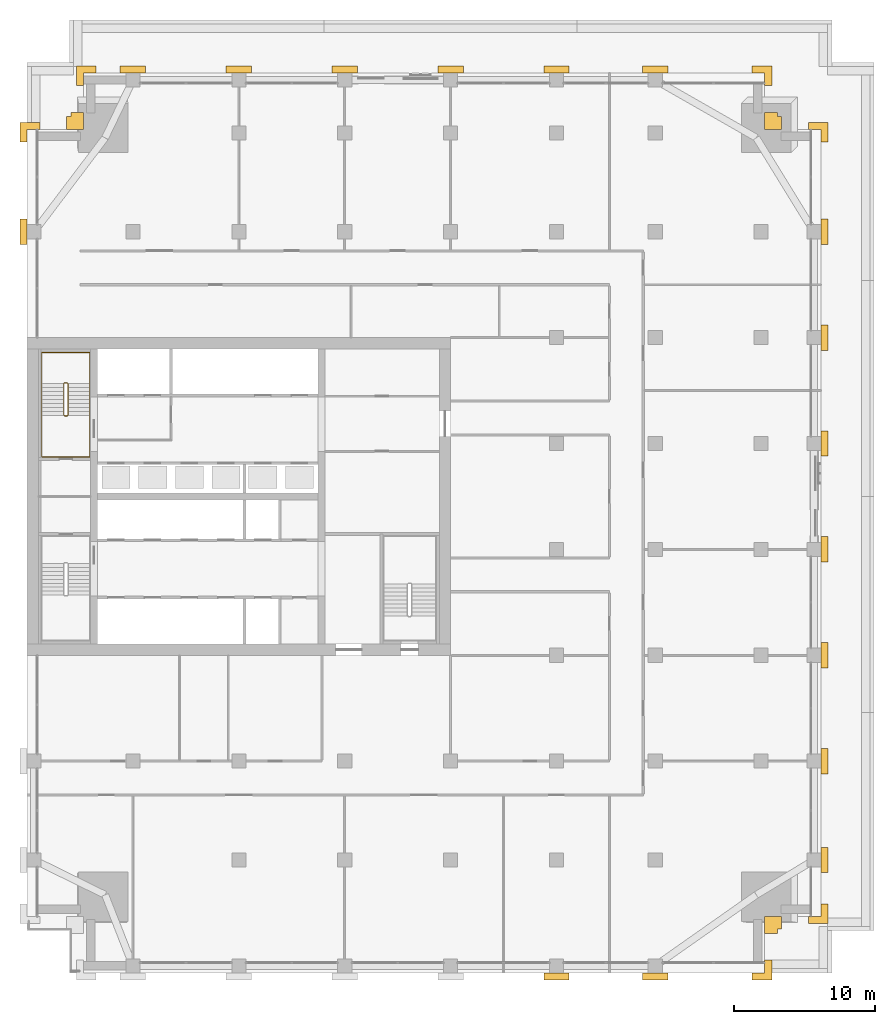
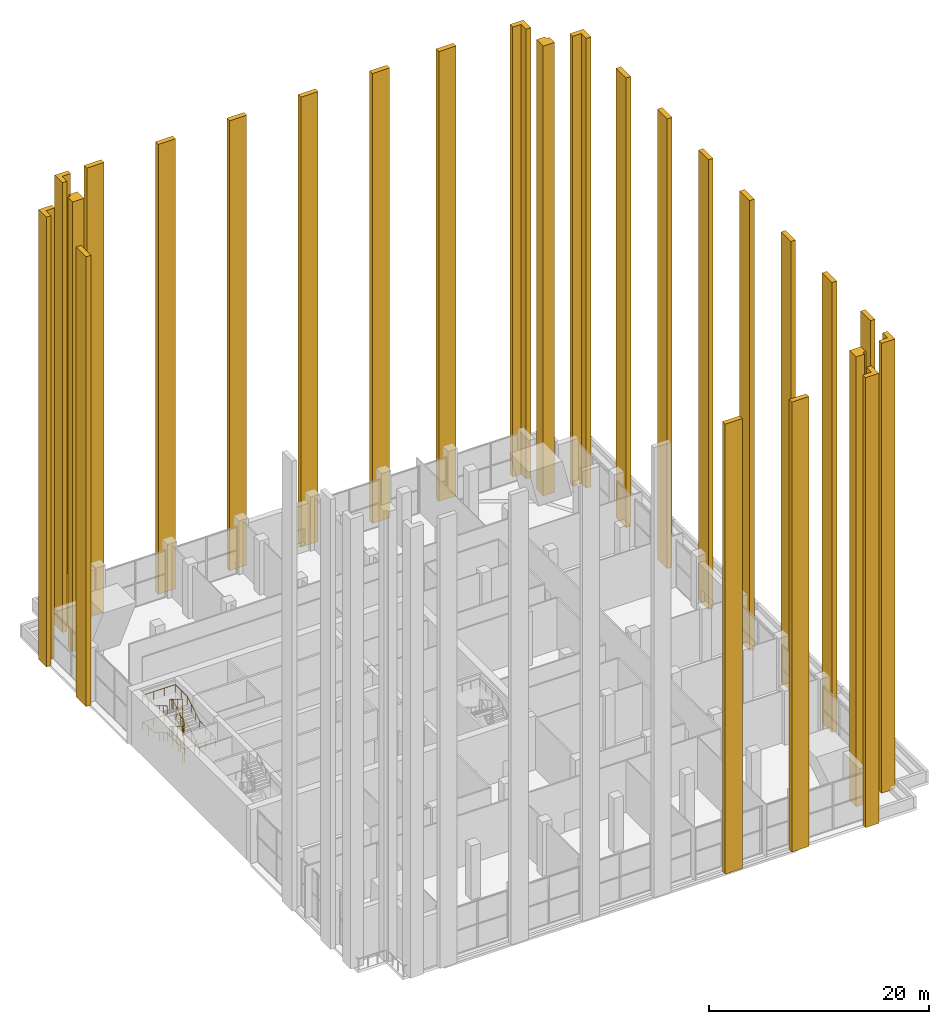
# One storey, part 22 of 23: 25 coverings, 2 railings.
"""IFC4 building model written with IfcOpenShell, lengths in metres."""

import ifcopenshell
import ifcopenshell.guid

model = None  # the IFC model being written
_history = None  # IfcOwnerHistory: only IFC2X3 demands one
_inside = {}  # id of a spatial element -> (the spatial element, [elements in it])
_under = {}  # id of a project, library or spatial element -> (it, [spatial elements below it])
_declared = {}  # id of a project -> (the project, [libraries it declares])
_typed = {}  # id of a type object -> (the type object, [elements of that type])
_made_of = {}  # id of a material, layer set ... -> (it, [elements and type objects made of it])


def new_model(schema):
    """Start an empty IFC model of exactly this schema.

    Asked for "IFC4X3", IfcOpenShell would pick the latest addendum, in which some entities
    have other attributes; the version numbers below select the first issue.
    IFC2X3 requires an IfcOwnerHistory on every rooted entity: one is made here for all.
    """
    global model, _history
    if schema == "IFC4X3":
        model = ifcopenshell.file(schema_version=(4, 3, 0, 0))
    else:
        model = ifcopenshell.file(schema=schema)
    _inside.clear()
    _under.clear()
    _declared.clear()
    _typed.clear()
    _made_of.clear()
    _history = None
    if model.schema == "IFC2X3":
        org = make("IfcOrganization", Name="unknown")
        user = make(
            "IfcPersonAndOrganization",
            ThePerson=make("IfcPerson", FamilyName="unknown"),
            TheOrganization=org,
        )
        app = make(
            "IfcApplication",
            ApplicationDeveloper=org,
            Version="unknown",
            ApplicationFullName="unknown",
            ApplicationIdentifier="unknown",
        )
        _history = make(
            "IfcOwnerHistory",
            OwningUser=user,
            OwningApplication=app,
            ChangeAction="ADDED",
            CreationDate=0,
        )
    return model


def make(cls, **values):
    """One entity of the class cls with the attributes given. An attribute that is None is left unset."""
    return model.create_entity(
        cls, **{name: value for name, value in values.items() if value is not None}
    )


def rooted(cls, **values):
    """An entity with a GlobalId (a new one), such as an element, a storey or a relation."""
    return make(cls, GlobalId=ifcopenshell.guid.new(), OwnerHistory=_history, **values)


def si_unit(unit_type, name, prefix=None):
    """IfcSIUnit, for example si_unit("LENGTHUNIT", "METRE", prefix="MILLI")."""
    return make("IfcSIUnit", UnitType=unit_type, Prefix=prefix, Name=name)


def assignment(units):
    """IfcUnitAssignment: the units of a project."""
    return None if units is None else make("IfcUnitAssignment", Units=units)


def point(xyz):
    """IfcCartesianPoint."""
    return None if xyz is None else make("IfcCartesianPoint", Coordinates=xyz)


def direction(xyz):
    """IfcDirection."""
    return None if xyz is None else make("IfcDirection", DirectionRatios=xyz)


def frame(location, z_axis=None, x_axis=None):
    """IfcAxis2Placement3D, a coordinate frame: its origin and axes. An axis left out is left unset."""
    return make(
        "IfcAxis2Placement3D",
        Location=point(location),
        Axis=direction(z_axis),
        RefDirection=direction(x_axis),
    )


def frame_2d(location, x_axis=None):
    """IfcAxis2Placement2D, a coordinate frame in the plane: its origin and x axis."""
    return make(
        "IfcAxis2Placement2D", Location=point(location), RefDirection=direction(x_axis)
    )


def origin():
    """The frame at (0, 0, 0) with its axes left unset."""
    return frame((0.0, 0.0, 0.0))


def origin_2d():
    """The frame at (0, 0) in the plane with its x axis left unset."""
    return frame_2d((0.0, 0.0))


def place(relative_to, where):
    """IfcLocalPlacement: puts the frame where relative to a parent placement (None: the world)."""
    return make(
        "IfcLocalPlacement", PlacementRelTo=relative_to, RelativePlacement=where
    )


def context(
    kind, dimensions, precision=None, world=None, true_north=None, identifier=None
):
    """IfcGeometricRepresentationContext, for example the 3D "Model" context."""
    return make(
        "IfcGeometricRepresentationContext",
        ContextIdentifier=identifier,
        ContextType=kind,
        CoordinateSpaceDimension=dimensions,
        Precision=precision,
        WorldCoordinateSystem=world,
        TrueNorth=true_north,
    )


def subcontext(parent, identifier, kind, view, scale=None):
    """IfcGeometricRepresentationSubContext, for example "Body" below "Model"."""
    return make(
        "IfcGeometricRepresentationSubContext",
        ContextIdentifier=identifier,
        ContextType=kind,
        ParentContext=parent,
        TargetScale=scale,
        TargetView=view,
    )


def project(units=None, contexts=None):
    """IfcProject with its units and contexts."""
    return rooted(
        "IfcProject",
        Name="project",
        RepresentationContexts=contexts,
        UnitsInContext=assignment(units),
    )


def spatial(cls, under=None, at=None, **own):
    """A site, building, storey or space (cls), placed at a placement, below another one or the project."""
    s = rooted(cls, ObjectPlacement=at, **own)
    if under is not None:
        _under.setdefault(under.id(), (under, []))[1].append(s)
    return s


def polyline(points):
    """IfcPolyline through the points."""
    return make("IfcPolyline", Points=[point(p) for p in points])


def profile(cls, at=None, kind="AREA", **sizes):
    """A parametric profile (cls). Its sizes go by their IFC names, for example OverallWidth=200.0."""
    return make(cls, ProfileType=kind, Position=at, **sizes)


def circle(**sizes):
    """IfcCircleProfileDef."""
    return profile("IfcCircleProfileDef", **sizes)


def outline(outer, holes=None, kind="AREA"):
    """IfcArbitraryClosedProfileDef: a profile drawn as a closed curve; with holes, ...WithVoids."""
    if holes is None:
        return make("IfcArbitraryClosedProfileDef", ProfileType=kind, OuterCurve=outer)
    return make(
        "IfcArbitraryProfileDefWithVoids",
        ProfileType=kind,
        OuterCurve=outer,
        InnerCurves=holes,
    )


def extrude(swept, where, along, depth):
    """IfcExtrudedAreaSolid: the profile swept, set in the frame where, extruded along a direction by depth."""
    return make(
        "IfcExtrudedAreaSolid",
        SweptArea=swept,
        Position=where,
        ExtrudedDirection=direction(along),
        Depth=depth,
    )


def shape(context_of_items, identifier, shape_type, items):
    """IfcShapeRepresentation: the items that make up one representation, for example the "Body"."""
    return make(
        "IfcShapeRepresentation",
        ContextOfItems=context_of_items,
        RepresentationIdentifier=identifier,
        RepresentationType=shape_type,
        Items=items,
    )


def material(Name=None, Category=None):
    """IfcMaterial."""
    return make("IfcMaterial", Name=Name, Category=Category)


def layer(
    of_material, thickness, ventilated=None, Name=None, Category=None, Priority=None
):
    """IfcMaterialLayer: one layer of a wall or slab, of a material (None: an air gap)."""
    return make(
        "IfcMaterialLayer",
        Material=of_material,
        LayerThickness=thickness,
        IsVentilated=ventilated,
        Name=Name,
        Category=Category,
        Priority=Priority,
    )


def layer_set(layers, Name=None):
    """IfcMaterialLayerSet."""
    return make("IfcMaterialLayerSet", MaterialLayers=layers, LayerSetName=Name)


def made_of(thing, what):
    """Note that an element or type object is made of a material, layer set ...; save() writes the relation."""
    if what is not None:
        _made_of.setdefault(what.id(), (what, []))[1].append(thing)
    return thing


def type_object(cls, material=None, **own):
    """A type object (cls), such as IfcWallType, which elements share."""
    return made_of(rooted(cls, **own), material)


def element(
    cls,
    number,
    at=None,
    inside=None,
    cuts=None,
    type_object=None,
    material=None,
    context=None,
    identifier="Body",
    shape_type=None,
    held_by="IfcProductDefinitionShape",
    body=None,
    shapes=None,
    **own,
):
    """One element of the class cls, such as IfcWall. Its Tag is "e" and its number.

    at: its placement. inside: the storey or other place that contains it. cuts: it is an
    opening in that element (IfcRelVoidsElement). A single representation is given by context,
    identifier, shape_type and body (its items); several are given by shapes. held_by: the class
    of the entity that holds the representations. save() writes the other relations.
    """
    e = rooted(cls, Tag="e%d" % number, ObjectPlacement=at, **own)
    if body is not None:
        shapes = [shape(context, identifier, shape_type, body)]
    if shapes is not None:
        e.Representation = make(held_by, Representations=shapes)
    if inside is not None:
        _inside.setdefault(inside.id(), (inside, []))[1].append(e)
    if cuts is not None:
        rooted(
            "IfcRelVoidsElement", RelatingBuildingElement=cuts, RelatedOpeningElement=e
        )
    if type_object is not None:
        _typed.setdefault(type_object.id(), (type_object, []))[1].append(e)
    return made_of(e, material)


def aggregate(whole, parts):
    """IfcRelAggregates: a whole, such as a stair, and the parts it consists of."""
    return rooted("IfcRelAggregates", RelatingObject=whole, RelatedObjects=parts)


def save(model, path):
    """Write the relations noted so far, then the file.

    IfcRelAggregates (storeys below a building ...), IfcRelContainedInSpatialStructure (elements
    in a storey), IfcRelDefinesByType, IfcRelAssociatesMaterial and IfcRelDeclares: one each for
    every whole, place, type object, material and project.
    """
    for whole, parts in _under.values():
        aggregate(whole, parts)
    for where, things in _inside.values():
        rooted(
            "IfcRelContainedInSpatialStructure",
            RelatedElements=things,
            RelatingStructure=where,
        )
    for kind, things in _typed.values():
        rooted("IfcRelDefinesByType", RelatedObjects=things, RelatingType=kind)
    for what, things in _made_of.values():
        rooted("IfcRelAssociatesMaterial", RelatedObjects=things, RelatingMaterial=what)
    for by, libraries in _declared.values():
        rooted("IfcRelDeclares", RelatingContext=by, RelatedDefinitions=libraries)
    model.write(path)


model = new_model("IFC4")

# Units and contexts
model_context = context("Model", 3, precision=1e-05, world=origin(), true_north=direction((0.0, 1.0)))
body_context = subcontext(model_context, "Body", "Model", "MODEL_VIEW")
ifc_project = project(units=[si_unit("LENGTHUNIT", "METRE"), si_unit("AREAUNIT", "SQUARE_METRE"), si_unit("VOLUMEUNIT", "CUBIC_METRE"), si_unit("PLANEANGLEUNIT", "RADIAN"), si_unit("MASSUNIT", "GRAM", prefix="KILO")], contexts=[model_context])

# Site, building, storey
site_placement = place(None, origin())
site = spatial("IfcSite", under=ifc_project, at=site_placement, CompositionType="ELEMENT")
building_placement = place(site_placement, origin())
building = spatial("IfcBuilding", under=site, at=building_placement, Name="Tamorin Gate", CompositionType="ELEMENT")
storey_placement = place(building_placement, frame((0.0, 0.0, 124.199951171875)))
storey = spatial("IfcBuildingStorey", under=building, at=storey_placement, Name="L30", CompositionType="ELEMENT", Elevation=124.199951171875)

# Coverings
ifc_material_1 = material(Name="Precast concrete C40/50", Category="concrete")
ifc_layer_1 = layer(ifc_material_1, 0.5)
ifc_layer_set_1 = layer_set([ifc_layer_1], Name="Corner pier cladding 500")
covering_type_1 = type_object("IfcCoveringType", Name="Corner pier cladding 500", PredefinedType="CLADDING", material=ifc_layer_set_1)
covering_1_placement = place(storey_placement, origin())
element("IfcCovering", 1, at=covering_1_placement, inside=storey, type_object=covering_type_1, Name="Corner pier", PredefinedType="CLADDING", context=body_context, shape_type="SweptSolid", body=[
    extrude(outline(polyline([(82.75, 37.0), (81.35009765625, 37.0), (81.35009765625, 37.5), (82.25, 37.5), (82.25, 38.39990234375), (82.75, 38.39990234375), (82.75, 37.0)])), origin(), (0.0, 0.0, 1.0), 50.0),
])
covering_2_placement = place(storey_placement, origin())
element("IfcCovering", 2, at=covering_2_placement, inside=storey, type_object=covering_type_1, Name="Corner pier", PredefinedType="CLADDING", context=body_context, shape_type="SweptSolid", body=[
    extrude(outline(polyline([(86.75, 41.0), (85.35009765625, 41.0), (85.35009765625, 41.5), (86.25, 41.5), (86.25, 42.39990234375), (86.75, 42.39990234375), (86.75, 41.0)])), origin(), (0.0, 0.0, 1.0), 50.0),
])
covering_3_placement = place(storey_placement, origin())
element("IfcCovering", 3, at=covering_3_placement, inside=storey, type_object=covering_type_1, Name="Corner pier", PredefinedType="CLADDING", context=body_context, shape_type="SweptSolid", body=[
    extrude(outline(polyline([(86.75, 97.75), (86.75, 96.35009765625), (86.25, 96.35009765625), (86.25, 97.25), (85.35009765625, 97.25), (85.35009765625, 97.75), (86.75, 97.75)])), origin(), (0.0, 0.0, 1.0), 50.0),
])
covering_4_placement = place(storey_placement, origin())
element("IfcCovering", 4, at=covering_4_placement, inside=storey, type_object=covering_type_1, Name="Corner pier", PredefinedType="CLADDING", context=body_context, shape_type="SweptSolid", body=[
    extrude(outline(polyline([(82.75, 101.75), (82.75, 100.35009765625), (82.25, 100.35009765625), (82.25, 101.25), (81.35009765625, 101.25), (81.35009765625, 101.75), (82.75, 101.75)])), origin(), (0.0, 0.0, 1.0), 50.0),
])
covering_5_placement = place(storey_placement, origin())
element("IfcCovering", 5, at=covering_5_placement, inside=storey, type_object=covering_type_1, Name="Corner pier", PredefinedType="CLADDING", context=body_context, shape_type="SweptSolid", body=[
    extrude(outline(polyline([(33.5, 101.75), (34.89990234375, 101.75), (34.89990234375, 101.25), (34.0, 101.25), (34.0, 100.35009765625), (33.5, 100.35009765625), (33.5, 101.75)])), origin(), (0.0, 0.0, 1.0), 50.0),
])
covering_6_placement = place(storey_placement, origin())
element("IfcCovering", 6, at=covering_6_placement, inside=storey, type_object=covering_type_1, Name="Corner pier", PredefinedType="CLADDING", context=body_context, shape_type="SweptSolid", body=[
    extrude(outline(polyline([(29.5, 97.75), (30.89990234375, 97.75), (30.89990234375, 97.25), (30.0, 97.25), (30.0, 96.35009765625), (29.5, 96.35009765625), (29.5, 97.75)])), origin(), (0.0, 0.0, 1.0), 50.0),
])
ifc_layer_2 = layer(ifc_material_1, 0.89990234375)
ifc_layer_set_2 = layer_set([ifc_layer_2], Name="Corner pier cladding 900")
covering_type_2 = type_object("IfcCoveringType", Name="Corner pier cladding 900", PredefinedType="CLADDING", material=ifc_layer_set_2)
covering_7_placement = place(storey_placement, origin())
element("IfcCovering", 7, at=covering_7_placement, inside=storey, type_object=covering_type_2, Name="Corner pier", PredefinedType="CLADDING", context=body_context, shape_type="SweptSolid", body=[
    extrude(outline(polyline([(83.14990234375, 40.60009765625), (83.14990234375, 40.300048828125), (82.25, 40.300048828125), (82.25, 41.5), (83.449951171875, 41.5), (83.449951171875, 40.60009765625), (83.14990234375, 40.60009765625)])), origin(), (0.0, 0.0, 1.0), 50.0),
])
covering_8_placement = place(storey_placement, origin())
element("IfcCovering", 8, at=covering_8_placement, inside=storey, type_object=covering_type_2, Name="Corner pier", PredefinedType="CLADDING", context=body_context, shape_type="SweptSolid", body=[
    extrude(outline(polyline([(83.14990234375, 98.14990234375), (83.449951171875, 98.14990234375), (83.449951171875, 97.25), (82.25, 97.25), (82.25, 98.449951171875), (83.14990234375, 98.449951171875), (83.14990234375, 98.14990234375)])), origin(), (0.0, 0.0, 1.0), 50.0),
])
covering_9_placement = place(storey_placement, origin())
element("IfcCovering", 9, at=covering_9_placement, inside=storey, type_object=covering_type_2, Name="Corner pier", PredefinedType="CLADDING", context=body_context, shape_type="SweptSolid", body=[
    extrude(outline(polyline([(33.10009765625, 98.14990234375), (33.10009765625, 98.449951171875), (34.0, 98.449951171875), (34.0, 97.25), (32.800048828125, 97.25), (32.800048828125, 98.14990234375), (33.10009765625, 98.14990234375)])), origin(), (0.0, 0.0, 1.0), 50.0),
])
ifc_layer_3 = layer(ifc_material_1, 0.5)
ifc_layer_set_3 = layer_set([ifc_layer_3], Name="Precast concrete C40/50")
covering_type_3 = type_object("IfcCoveringType", Name="Precast pier 1800x500", PredefinedType="CLADDING", material=ifc_layer_set_3)
covering_10_placement = place(storey_placement, origin())
element("IfcCovering", 10, at=covering_10_placement, inside=storey, type_object=covering_type_3, Name="Precast pier", PredefinedType="CLADDING", context=body_context, shape_type="SweptSolid", body=[
    extrude(outline(polyline([(86.25, 44.60009765625), (86.25, 46.39990234375), (86.75, 46.39990234375), (86.75, 44.60009765625), (86.25, 44.60009765625)])), origin(), (0.0, 0.0, 1.0), 50.0),
])
covering_11_placement = place(storey_placement, origin())
element("IfcCovering", 11, at=covering_11_placement, inside=storey, type_object=covering_type_3, Name="Precast pier", PredefinedType="CLADDING", context=body_context, shape_type="SweptSolid", body=[
    extrude(outline(polyline([(86.25, 51.60009765625), (86.25, 53.39990234375), (86.75, 53.39990234375), (86.75, 51.60009765625), (86.25, 51.60009765625)])), origin(), (0.0, 0.0, 1.0), 50.0),
])
covering_12_placement = place(storey_placement, origin())
element("IfcCovering", 12, at=covering_12_placement, inside=storey, type_object=covering_type_3, Name="Precast pier", PredefinedType="CLADDING", context=body_context, shape_type="SweptSolid", body=[
    extrude(outline(polyline([(86.25, 59.10009765625), (86.25, 60.89990234375), (86.75, 60.89990234375), (86.75, 59.10009765625), (86.25, 59.10009765625)])), origin(), (0.0, 0.0, 1.0), 50.0),
])
covering_13_placement = place(storey_placement, origin())
element("IfcCovering", 13, at=covering_13_placement, inside=storey, type_object=covering_type_3, Name="Precast pier", PredefinedType="CLADDING", context=body_context, shape_type="SweptSolid", body=[
    extrude(outline(polyline([(86.25, 66.60009765625), (86.25, 68.39990234375), (86.75, 68.39990234375), (86.75, 66.60009765625), (86.25, 66.60009765625)])), origin(), (0.0, 0.0, 1.0), 50.0),
])
covering_14_placement = place(storey_placement, origin())
element("IfcCovering", 14, at=covering_14_placement, inside=storey, type_object=covering_type_3, Name="Precast pier", PredefinedType="CLADDING", context=body_context, shape_type="SweptSolid", body=[
    extrude(outline(polyline([(86.25, 74.10009765625), (86.25, 75.89990234375), (86.75, 75.89990234375), (86.75, 74.10009765625), (86.25, 74.10009765625)])), origin(), (0.0, 0.0, 1.0), 50.0),
])
covering_15_placement = place(storey_placement, origin())
element("IfcCovering", 15, at=covering_15_placement, inside=storey, type_object=covering_type_3, Name="Precast pier", PredefinedType="CLADDING", context=body_context, shape_type="SweptSolid", body=[
    extrude(outline(polyline([(86.25, 81.60009765625), (86.25, 83.39990234375), (86.75, 83.39990234375), (86.75, 81.60009765625), (86.25, 81.60009765625)])), origin(), (0.0, 0.0, 1.0), 50.0),
])
covering_16_placement = place(storey_placement, origin())
element("IfcCovering", 16, at=covering_16_placement, inside=storey, type_object=covering_type_3, Name="Precast pier", PredefinedType="CLADDING", context=body_context, shape_type="SweptSolid", body=[
    extrude(outline(polyline([(86.25, 89.10009765625), (86.25, 90.89990234375), (86.75, 90.89990234375), (86.75, 89.10009765625), (86.25, 89.10009765625)])), origin(), (0.0, 0.0, 1.0), 50.0),
])
covering_17_placement = place(storey_placement, origin())
element("IfcCovering", 17, at=covering_17_placement, inside=storey, type_object=covering_type_3, Name="Precast pier", PredefinedType="CLADDING", context=body_context, shape_type="SweptSolid", body=[
    extrude(outline(polyline([(38.39990234375, 101.25), (36.60009765625, 101.25), (36.60009765625, 101.75), (38.39990234375, 101.75), (38.39990234375, 101.25)])), origin(), (0.0, 0.0, 1.0), 50.0),
])
covering_18_placement = place(storey_placement, origin())
element("IfcCovering", 18, at=covering_18_placement, inside=storey, type_object=covering_type_3, Name="Precast pier", PredefinedType="CLADDING", context=body_context, shape_type="SweptSolid", body=[
    extrude(outline(polyline([(45.89990234375, 101.25), (44.10009765625, 101.25), (44.10009765625, 101.75), (45.89990234375, 101.75), (45.89990234375, 101.25)])), origin(), (0.0, 0.0, 1.0), 50.0),
])
covering_19_placement = place(storey_placement, origin())
element("IfcCovering", 19, at=covering_19_placement, inside=storey, type_object=covering_type_3, Name="Precast pier", PredefinedType="CLADDING", context=body_context, shape_type="SweptSolid", body=[
    extrude(outline(polyline([(53.39990234375, 101.25), (51.60009765625, 101.25), (51.60009765625, 101.75), (53.39990234375, 101.75), (53.39990234375, 101.25)])), origin(), (0.0, 0.0, 1.0), 50.0),
])
covering_20_placement = place(storey_placement, origin())
element("IfcCovering", 20, at=covering_20_placement, inside=storey, type_object=covering_type_3, Name="Precast pier", PredefinedType="CLADDING", context=body_context, shape_type="SweptSolid", body=[
    extrude(outline(polyline([(60.89990234375, 101.25), (59.10009765625, 101.25), (59.10009765625, 101.75), (60.89990234375, 101.75), (60.89990234375, 101.25)])), origin(), (0.0, 0.0, 1.0), 50.0),
])
covering_21_placement = place(storey_placement, origin())
element("IfcCovering", 21, at=covering_21_placement, inside=storey, type_object=covering_type_3, Name="Precast pier", PredefinedType="CLADDING", context=body_context, shape_type="SweptSolid", body=[
    extrude(outline(polyline([(68.39990234375, 101.25), (66.60009765625, 101.25), (66.60009765625, 101.75), (68.39990234375, 101.75), (68.39990234375, 101.25)])), origin(), (0.0, 0.0, 1.0), 50.0),
])
covering_22_placement = place(storey_placement, origin())
element("IfcCovering", 22, at=covering_22_placement, inside=storey, type_object=covering_type_3, Name="Precast pier", PredefinedType="CLADDING", context=body_context, shape_type="SweptSolid", body=[
    extrude(outline(polyline([(75.39990234375, 101.25), (73.60009765625, 101.25), (73.60009765625, 101.75), (75.39990234375, 101.75), (75.39990234375, 101.25)])), origin(), (0.0, 0.0, 1.0), 50.0),
])
covering_23_placement = place(storey_placement, origin())
element("IfcCovering", 23, at=covering_23_placement, inside=storey, type_object=covering_type_3, Name="Precast pier", PredefinedType="CLADDING", context=body_context, shape_type="SweptSolid", body=[
    extrude(outline(polyline([(30.0, 90.89990234375), (30.0, 89.10009765625), (29.5, 89.10009765625), (29.5, 90.89990234375), (30.0, 90.89990234375)])), origin(), (0.0, 0.0, 1.0), 50.0),
])
covering_24_placement = place(storey_placement, origin())
element("IfcCovering", 24, at=covering_24_placement, inside=storey, type_object=covering_type_3, Name="Precast pier", PredefinedType="CLADDING", context=body_context, shape_type="SweptSolid", body=[
    extrude(outline(polyline([(66.60009765625, 37.5), (68.39990234375, 37.5), (68.39990234375, 37.0), (66.60009765625, 37.0), (66.60009765625, 37.5)])), origin(), (0.0, 0.0, 1.0), 50.0),
])
covering_25_placement = place(storey_placement, origin())
element("IfcCovering", 25, at=covering_25_placement, inside=storey, type_object=covering_type_3, Name="Precast pier", PredefinedType="CLADDING", context=body_context, shape_type="SweptSolid", body=[
    extrude(outline(polyline([(73.60009765625, 37.5), (75.39990234375, 37.5), (75.39990234375, 37.0), (73.60009765625, 37.0), (73.60009765625, 37.5)])), origin(), (0.0, 0.0, 1.0), 50.0),
])

# Railings
ifc_material_2 = material(Name="Painted steel balustrade", Category="steel")
railing_type_1 = type_object("IfcRailingType", Name="Stair guard 1100", PredefinedType="GUARDRAIL", material=ifc_material_2)
railing_1_placement = place(storey_placement, frame((32.89990234375, 77.0, 0.166748046875)))
element("IfcRailing", 26, at=railing_1_placement, inside=storey, type_object=railing_type_1, Name="L30 ST2 stair guard 1", PredefinedType="GUARDRAIL", context=body_context, shape_type="SweptSolid", body=[
    extrude(circle(Radius=0.02392578125, at=origin_2d()), frame((0.0, 0.0, 1.076171875), z_axis=(0.0, 0.859305625298, 0.511462454469), x_axis=(-1.0, 0.0, 0.0)), (0.0, 0.0, 1.0), 2.606689453125),
    extrude(circle(Radius=0.02392578125, at=origin_2d()), frame((0.0, 2.239990234375, 2.4091796875), z_axis=(-0.705375805398, 0.708833529934, 0.0), x_axis=(-0.708833529934, -0.705375805398, 0.0)), (0.0, 0.0, 1.0), 0.070556640625),
    extrude(circle(Radius=0.02392578125, at=origin_2d()), frame((-0.0498046875, 2.2900390625, 2.4091796875), z_axis=(-1.0, 0.0, 0.0), x_axis=(0.0, -1.0, 0.0)), (0.0, 0.0, 1.0), 0.2001953125),
    extrude(circle(Radius=0.02392578125, at=origin_2d()), frame((-0.25, 2.2900390625, 2.4091796875), z_axis=(-0.275041040955, -0.276389281352, 0.920848191041), x_axis=(0.708833529934, -0.705375805398, 0.0)), (0.0, 0.0, 1.0), 0.18115234375),
    extrude(circle(Radius=0.02392578125, at=origin_2d()), frame((-0.2998046875, 2.239990234375, 2.576171875), z_axis=(0.0, -0.859305625298, 0.511462454469), x_axis=(1.0, 0.0, 0.0)), (0.0, 0.0, 1.0), 2.606689453125),
    extrude(circle(Radius=0.02392578125, at=origin_2d()), frame((-0.2998046875, 0.0, 3.9091796875), z_axis=(0.98054382908, -0.196300278283, 0.0), x_axis=(0.196300278283, 0.98054382908, 0.0)), (0.0, 0.0, 1.0), 0.2548828125),
    extrude(circle(Radius=0.02392578125, at=origin_2d()), frame((-0.0498046875, -0.050048828125, 3.9091796875), z_axis=(-1.0, 0.0, 0.0), x_axis=(0.0, -1.0, 0.0)), (0.0, 0.0, 1.0), 0.2001953125),
    extrude(circle(Radius=0.02392578125, at=origin_2d()), frame((-0.25, -0.050048828125, 3.9091796875), z_axis=(0.820621892478, 0.164284656209, 0.547348391174), x_axis=(-0.196300278283, 0.98054382908, 0.0)), (0.0, 0.0, 1.0), 0.3046875),
    extrude(circle(Radius=0.02392578125, at=origin_2d()), frame((0.0, 0.0, 4.076171875), z_axis=(0.0, 0.859305625298, 0.511462454469), x_axis=(-1.0, 0.0, 0.0)), (0.0, 0.0, 1.0), 2.606689453125),
    extrude(circle(Radius=0.02392578125, at=origin_2d()), frame((0.0, 2.239990234375, 5.4091796875), z_axis=(-0.705375805398, 0.708833529934, 0.0), x_axis=(-0.708833529934, -0.705375805398, 0.0)), (0.0, 0.0, 1.0), 0.070556640625),
    extrude(circle(Radius=0.02392578125, at=origin_2d()), frame((-0.0498046875, 2.2900390625, 5.4091796875), z_axis=(-1.0, 0.0, 0.0), x_axis=(0.0, -1.0, 0.0)), (0.0, 0.0, 1.0), 0.2001953125),
    extrude(circle(Radius=0.02392578125, at=origin_2d()), frame((-0.25, 2.2900390625, 5.4091796875), z_axis=(-0.275041040955, -0.276389281352, 0.920848191041), x_axis=(0.708833529934, -0.705375805398, 0.0)), (0.0, 0.0, 1.0), 0.18115234375),
    extrude(circle(Radius=0.02392578125, at=origin_2d()), frame((-0.2998046875, 2.239990234375, 5.576171875), z_axis=(0.0, -0.859305625298, 0.511462454469), x_axis=(1.0, 0.0, 0.0)), (0.0, 0.0, 1.0), 2.606689453125),
    extrude(circle(Radius=0.02392578125, at=origin_2d()), frame((-0.2998046875, 0.0, 6.9091796875), z_axis=(0.041629098968, -0.008333950477, -0.999098375231), x_axis=(0.196300278283, 0.98054382908, 0.0)), (0.0, 0.0, 1.0), 6.00537109375),
    extrude(circle(Radius=0.02392578125, at=origin_2d()), frame((-0.0498046875, -0.050048828125, 0.9091796875), z_axis=(-1.0, 0.0, 0.0), x_axis=(0.0, -1.0, 0.0)), (0.0, 0.0, 1.0), 0.2001953125),
    extrude(circle(Radius=0.02099609375, at=origin_2d()), origin(), (0.0, 0.0, 1.0), 1.052001953125),
    extrude(circle(Radius=0.02099609375, at=origin_2d()), frame((0.0, 0.74658203125, 0.4443359375)), (0.0, 0.0, 1.0), 1.052001953125),
    extrude(circle(Radius=0.02099609375, at=origin_2d()), frame((0.0, 1.493408203125, 0.888916015625)), (0.0, 0.0, 1.0), 1.052001953125),
    extrude(circle(Radius=0.02099609375, at=origin_2d()), frame((0.0, 2.239990234375, 1.333251953125)), (0.0, 0.0, 1.0), 1.052001953125),
    extrude(circle(Radius=0.02099609375, at=origin_2d()), frame((-0.0498046875, 2.2900390625, 1.333251953125)), (0.0, 0.0, 1.0), 1.052001953125),
    extrude(circle(Radius=0.02099609375, at=origin_2d()), frame((-0.25, 2.2900390625, 1.333251953125)), (0.0, 0.0, 1.0), 1.052001953125),
    extrude(circle(Radius=0.02099609375, at=origin_2d()), frame((-0.2998046875, 2.239990234375, 1.5)), (0.0, 0.0, 1.0), 1.052001953125),
    extrude(circle(Radius=0.02099609375, at=origin_2d()), frame((-0.2998046875, 1.493408203125, 1.9443359375)), (0.0, 0.0, 1.0), 1.052001953125),
    extrude(circle(Radius=0.02099609375, at=origin_2d()), frame((-0.2998046875, 0.74658203125, 2.388916015625)), (0.0, 0.0, 1.0), 1.052001953125),
    extrude(circle(Radius=0.02099609375, at=origin_2d()), frame((-0.2998046875, 0.0, 2.833251953125)), (0.0, 0.0, 1.0), 1.052001953125),
    extrude(circle(Radius=0.02099609375, at=origin_2d()), frame((-0.0498046875, -0.050048828125, 2.833251953125)), (0.0, 0.0, 1.0), 1.052001953125),
    extrude(circle(Radius=0.02099609375, at=origin_2d()), frame((-0.25, -0.050048828125, 2.833251953125)), (0.0, 0.0, 1.0), 1.052001953125),
    extrude(circle(Radius=0.02099609375, at=origin_2d()), frame((0.0, 0.0, 3.0)), (0.0, 0.0, 1.0), 1.052001953125),
    extrude(circle(Radius=0.02099609375, at=origin_2d()), frame((0.0, 0.74658203125, 3.4443359375)), (0.0, 0.0, 1.0), 1.052001953125),
    extrude(circle(Radius=0.02099609375, at=origin_2d()), frame((0.0, 1.493408203125, 3.888916015625)), (0.0, 0.0, 1.0), 1.052001953125),
    extrude(circle(Radius=0.02099609375, at=origin_2d()), frame((0.0, 2.239990234375, 4.333251953125)), (0.0, 0.0, 1.0), 1.052001953125),
    extrude(circle(Radius=0.02099609375, at=origin_2d()), frame((-0.0498046875, 2.2900390625, 4.333251953125)), (0.0, 0.0, 1.0), 1.052001953125),
    extrude(circle(Radius=0.02099609375, at=origin_2d()), frame((-0.25, 2.2900390625, 4.333251953125)), (0.0, 0.0, 1.0), 1.052001953125),
    extrude(circle(Radius=0.02099609375, at=origin_2d()), frame((-0.2998046875, 2.239990234375, 4.5)), (0.0, 0.0, 1.0), 1.052001953125),
    extrude(circle(Radius=0.02099609375, at=origin_2d()), frame((-0.2998046875, 1.493408203125, 4.9443359375)), (0.0, 0.0, 1.0), 1.052001953125),
    extrude(circle(Radius=0.02099609375, at=origin_2d()), frame((-0.2998046875, 0.74658203125, 5.388916015625)), (0.0, 0.0, 1.0), 1.052001953125),
    extrude(circle(Radius=0.02099609375, at=origin_2d()), frame((-0.2998046875, 0.0, 5.833251953125)), (0.0, 0.0, 1.0), 1.052001953125),
    extrude(circle(Radius=0.02099609375, at=origin_2d()), frame((-0.258056640625, -0.00830078125, 4.833251953125)), (0.0, 0.0, 1.0), 1.052001953125),
    extrude(circle(Radius=0.02099609375, at=origin_2d()), frame((-0.216552734375, -0.0166015625, 3.833251953125)), (0.0, 0.0, 1.0), 1.052001953125),
    extrude(circle(Radius=0.02099609375, at=origin_2d()), frame((-0.1748046875, -0.02490234375, 2.833251953125)), (0.0, 0.0, 1.0), 1.052001953125),
    extrude(circle(Radius=0.02099609375, at=origin_2d()), frame((-0.133056640625, -0.033447265625, 1.833251953125)), (0.0, 0.0, 1.0), 1.052001953125),
    extrude(circle(Radius=0.02099609375, at=origin_2d()), frame((-0.091552734375, -0.041748046875, 0.833251953125)), (0.0, 0.0, 1.0), 1.052001953125),
    extrude(circle(Radius=0.02099609375, at=origin_2d()), frame((-0.0498046875, -0.050048828125, -0.166748046875)), (0.0, 0.0, 1.0), 1.052001953125),
    extrude(circle(Radius=0.02099609375, at=origin_2d()), frame((-0.25, -0.050048828125, -0.166748046875)), (0.0, 0.0, 1.0), 1.052001953125),
])
ifc_material_3 = material(Name="Painted steel handrail", Category="steel")
railing_type_2 = type_object("IfcRailingType", Name="Stair handrail 900", PredefinedType="HANDRAIL", material=ifc_material_3)
railing_2_placement = place(storey_placement, frame((34.449951171875, 77.0, 0.166748046875)))
element("IfcRailing", 27, at=railing_2_placement, inside=storey, type_object=railing_type_2, Name="L30 ST2 stair handrail 1", PredefinedType="HANDRAIL", context=body_context, shape_type="SweptSolid", body=[
    extrude(circle(Radius=0.02392578125, at=origin_2d()), frame((0.0, 0.0, 0.8759765625), z_axis=(0.0, 0.859305625298, 0.511462454469), x_axis=(-1.0, 0.0, 0.0)), (0.0, 0.0, 1.0), 2.606689453125),
    extrude(circle(Radius=0.02392578125, at=origin_2d()), frame((0.0, 2.239990234375, 2.208984375), z_axis=(0.0, 1.0, 0.0), x_axis=(-1.0, 0.0, 0.0)), (0.0, 0.0, 1.0), 2.2099609375),
    extrude(circle(Radius=0.02392578125, at=origin_2d()), frame((0.0, 4.449951171875, 2.208984375), z_axis=(-1.0, 0.0, 0.0), x_axis=(0.0, -1.0, 0.0)), (0.0, 0.0, 1.0), 3.39990234375),
    extrude(circle(Radius=0.02392578125, at=origin_2d()), frame((-3.39990234375, 4.449951171875, 2.208984375), z_axis=(0.0, -0.997165524118, 0.075239069042), x_axis=(1.0, 0.0, 0.0)), (0.0, 0.0, 1.0), 2.21630859375),
    extrude(circle(Radius=0.02392578125, at=origin_2d()), frame((-3.39990234375, 2.239990234375, 2.3759765625), z_axis=(0.0, -0.859305625298, 0.511462454469), x_axis=(1.0, 0.0, 0.0)), (0.0, 0.0, 1.0), 2.606689453125),
    extrude(circle(Radius=0.02392578125, at=origin_2d()), frame((-3.39990234375, 0.0, 3.708984375), z_axis=(0.0, -1.0, 0.0), x_axis=(1.0, 0.0, 0.0)), (0.0, 0.0, 1.0), 2.949951171875),
    extrude(circle(Radius=0.02392578125, at=origin_2d()), frame((-3.39990234375, -2.949951171875, 3.708984375), z_axis=(1.0, 0.0, 0.0), x_axis=(0.0, 1.0, 0.0)), (0.0, 0.0, 1.0), 3.39990234375),
    extrude(circle(Radius=0.02392578125, at=origin_2d()), frame((0.0, -2.949951171875, 3.708984375), z_axis=(0.0, 0.998406240989, 0.056435608921), x_axis=(-1.0, 0.0, 0.0)), (0.0, 0.0, 1.0), 2.95458984375),
    extrude(circle(Radius=0.02392578125, at=origin_2d()), frame((0.0, 0.0, 3.8759765625), z_axis=(0.0, 0.859305625298, 0.511462454469), x_axis=(-1.0, 0.0, 0.0)), (0.0, 0.0, 1.0), 2.606689453125),
    extrude(circle(Radius=0.02392578125, at=origin_2d()), frame((0.0, 2.239990234375, 5.208984375), z_axis=(0.0, 1.0, 0.0), x_axis=(-1.0, 0.0, 0.0)), (0.0, 0.0, 1.0), 2.2099609375),
    extrude(circle(Radius=0.02392578125, at=origin_2d()), frame((0.0, 4.449951171875, 5.208984375), z_axis=(-1.0, 0.0, 0.0), x_axis=(0.0, -1.0, 0.0)), (0.0, 0.0, 1.0), 3.39990234375),
    extrude(circle(Radius=0.02392578125, at=origin_2d()), frame((-3.39990234375, 4.449951171875, 5.208984375), z_axis=(0.0, -0.997165524118, 0.075239069042), x_axis=(1.0, 0.0, 0.0)), (0.0, 0.0, 1.0), 2.21630859375),
    extrude(circle(Radius=0.02392578125, at=origin_2d()), frame((-3.39990234375, 2.239990234375, 5.3759765625), z_axis=(0.0, -0.859305625298, 0.511462454469), x_axis=(1.0, 0.0, 0.0)), (0.0, 0.0, 1.0), 2.606689453125),
    extrude(circle(Radius=0.02099609375, at=origin_2d()), origin(), (0.0, 0.0, 1.0), 0.851806640625),
    extrude(circle(Radius=0.02099609375, at=origin_2d()), frame((0.0, 0.74658203125, 0.4443359375)), (0.0, 0.0, 1.0), 0.851806640625),
    extrude(circle(Radius=0.02099609375, at=origin_2d()), frame((0.0, 1.493408203125, 0.888916015625)), (0.0, 0.0, 1.0), 0.851806640625),
    extrude(circle(Radius=0.02099609375, at=origin_2d()), frame((0.0, 2.239990234375, 1.333251953125)), (0.0, 0.0, 1.0), 0.851806640625),
    extrude(circle(Radius=0.02099609375, at=origin_2d()), frame((0.0, 3.344970703125, 1.333251953125)), (0.0, 0.0, 1.0), 0.851806640625),
    extrude(circle(Radius=0.02099609375, at=origin_2d()), frame((0.0, 4.449951171875, 1.333251953125)), (0.0, 0.0, 1.0), 0.851806640625),
    extrude(circle(Radius=0.02099609375, at=origin_2d()), frame((-1.13330078125, 4.449951171875, 1.333251953125)), (0.0, 0.0, 1.0), 0.851806640625),
    extrude(circle(Radius=0.02099609375, at=origin_2d()), frame((-2.2666015625, 4.449951171875, 1.333251953125)), (0.0, 0.0, 1.0), 0.851806640625),
    extrude(circle(Radius=0.02099609375, at=origin_2d()), frame((-3.39990234375, 4.449951171875, 1.333251953125)), (0.0, 0.0, 1.0), 0.851806640625),
    extrude(circle(Radius=0.02099609375, at=origin_2d()), frame((-3.39990234375, 3.344970703125, 1.41650390625)), (0.0, 0.0, 1.0), 0.851806640625),
    extrude(circle(Radius=0.02099609375, at=origin_2d()), frame((-3.39990234375, 2.239990234375, 1.5)), (0.0, 0.0, 1.0), 0.851806640625),
    extrude(circle(Radius=0.02099609375, at=origin_2d()), frame((-3.39990234375, 1.493408203125, 1.9443359375)), (0.0, 0.0, 1.0), 0.851806640625),
    extrude(circle(Radius=0.02099609375, at=origin_2d()), frame((-3.39990234375, 0.74658203125, 2.388916015625)), (0.0, 0.0, 1.0), 0.851806640625),
    extrude(circle(Radius=0.02099609375, at=origin_2d()), frame((-3.39990234375, 0.0, 2.833251953125)), (0.0, 0.0, 1.0), 0.851806640625),
    extrude(circle(Radius=0.02099609375, at=origin_2d()), frame((-3.39990234375, -0.9833984375, 2.833251953125)), (0.0, 0.0, 1.0), 0.851806640625),
    extrude(circle(Radius=0.02099609375, at=origin_2d()), frame((-3.39990234375, -1.966552734375, 2.833251953125)), (0.0, 0.0, 1.0), 0.851806640625),
    extrude(circle(Radius=0.02099609375, at=origin_2d()), frame((-3.39990234375, -2.949951171875, 2.833251953125)), (0.0, 0.0, 1.0), 0.851806640625),
    extrude(circle(Radius=0.02099609375, at=origin_2d()), frame((-2.2666015625, -2.949951171875, 2.833251953125)), (0.0, 0.0, 1.0), 0.851806640625),
    extrude(circle(Radius=0.02099609375, at=origin_2d()), frame((-1.13330078125, -2.949951171875, 2.833251953125)), (0.0, 0.0, 1.0), 0.851806640625),
    extrude(circle(Radius=0.02099609375, at=origin_2d()), frame((0.0, -2.949951171875, 2.833251953125)), (0.0, 0.0, 1.0), 0.851806640625),
    extrude(circle(Radius=0.02099609375, at=origin_2d()), frame((0.0, -1.966552734375, 2.888916015625)), (0.0, 0.0, 1.0), 0.851806640625),
    extrude(circle(Radius=0.02099609375, at=origin_2d()), frame((0.0, -0.9833984375, 2.9443359375)), (0.0, 0.0, 1.0), 0.851806640625),
    extrude(circle(Radius=0.02099609375, at=origin_2d()), frame((0.0, 0.0, 3.0)), (0.0, 0.0, 1.0), 0.851806640625),
    extrude(circle(Radius=0.02099609375, at=origin_2d()), frame((0.0, 0.74658203125, 3.4443359375)), (0.0, 0.0, 1.0), 0.851806640625),
    extrude(circle(Radius=0.02099609375, at=origin_2d()), frame((0.0, 1.493408203125, 3.888916015625)), (0.0, 0.0, 1.0), 0.851806640625),
    extrude(circle(Radius=0.02099609375, at=origin_2d()), frame((0.0, 2.239990234375, 4.333251953125)), (0.0, 0.0, 1.0), 0.851806640625),
    extrude(circle(Radius=0.02099609375, at=origin_2d()), frame((0.0, 3.344970703125, 4.333251953125)), (0.0, 0.0, 1.0), 0.851806640625),
    extrude(circle(Radius=0.02099609375, at=origin_2d()), frame((0.0, 4.449951171875, 4.333251953125)), (0.0, 0.0, 1.0), 0.851806640625),
    extrude(circle(Radius=0.02099609375, at=origin_2d()), frame((-1.13330078125, 4.449951171875, 4.333251953125)), (0.0, 0.0, 1.0), 0.851806640625),
    extrude(circle(Radius=0.02099609375, at=origin_2d()), frame((-2.2666015625, 4.449951171875, 4.333251953125)), (0.0, 0.0, 1.0), 0.851806640625),
    extrude(circle(Radius=0.02099609375, at=origin_2d()), frame((-3.39990234375, 4.449951171875, 4.333251953125)), (0.0, 0.0, 1.0), 0.851806640625),
    extrude(circle(Radius=0.02099609375, at=origin_2d()), frame((-3.39990234375, 3.344970703125, 4.41650390625)), (0.0, 0.0, 1.0), 0.851806640625),
    extrude(circle(Radius=0.02099609375, at=origin_2d()), frame((-3.39990234375, 2.239990234375, 4.5)), (0.0, 0.0, 1.0), 0.851806640625),
    extrude(circle(Radius=0.02099609375, at=origin_2d()), frame((-3.39990234375, 1.493408203125, 4.9443359375)), (0.0, 0.0, 1.0), 0.851806640625),
    extrude(circle(Radius=0.02099609375, at=origin_2d()), frame((-3.39990234375, 0.74658203125, 5.388916015625)), (0.0, 0.0, 1.0), 0.851806640625),
    extrude(circle(Radius=0.02099609375, at=origin_2d()), frame((-3.39990234375, 0.0, 5.833251953125)), (0.0, 0.0, 1.0), 0.851806640625),
])

save(model, "model.ifc")
